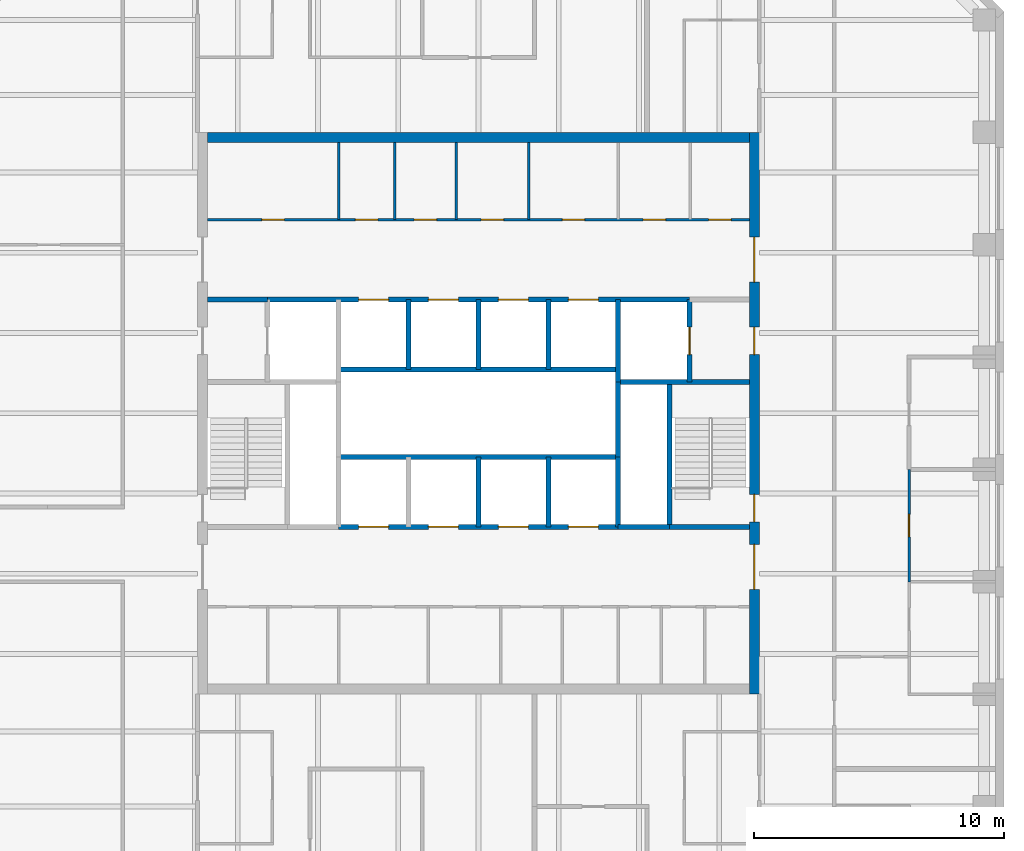
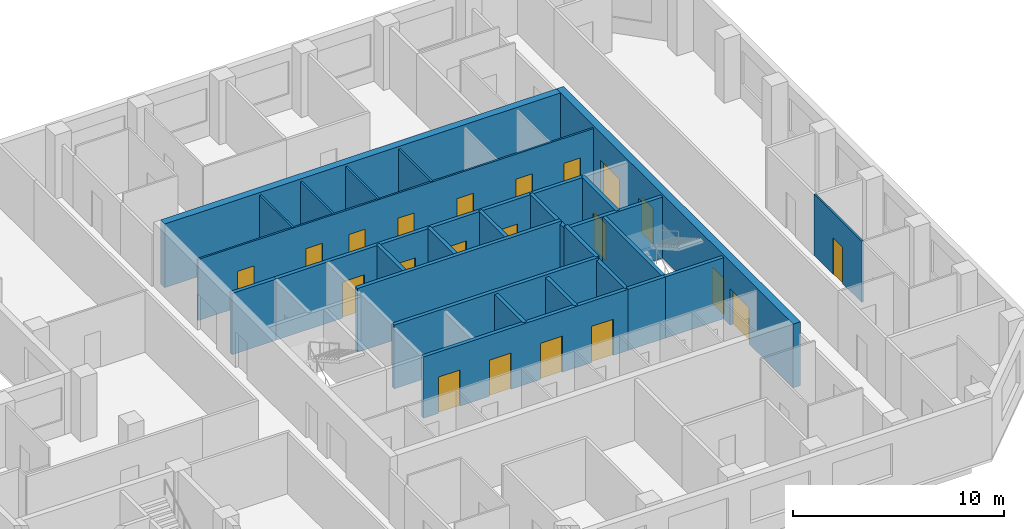
# One storey, part 6 of 9: 26 walls, 21 doors, 21 openings.
"""IFC4 building model written with IfcOpenShell, lengths in metres."""

from ifc_helpers import new_model, si_unit, direction, frame, frame_2d, origin, place, context, subcontext, project, spatial, rectangle, extrude, material, layer, layer_set, type_object, element, fill, save


model = new_model("IFC4")

# Units and contexts
model_context = context("Model", 3, precision=1e-05, world=origin(), true_north=direction((0.0, 1.0)))
body_context = subcontext(model_context, "Body", "Model", "MODEL_VIEW")
ifc_project = project(units=[si_unit("LENGTHUNIT", "METRE"), si_unit("AREAUNIT", "SQUARE_METRE"), si_unit("VOLUMEUNIT", "CUBIC_METRE"), si_unit("PLANEANGLEUNIT", "RADIAN"), si_unit("MASSUNIT", "GRAM", prefix="KILO")], contexts=[model_context])

# Site, building, storey
site_placement = place(None, origin())
site = spatial("IfcSite", under=ifc_project, at=site_placement, CompositionType="ELEMENT")
building_placement = place(site_placement, origin())
building = spatial("IfcBuilding", under=site, at=building_placement, Name="Quoin Convention Tower", CompositionType="ELEMENT")
storey_placement = place(building_placement, frame((0.0, 0.0, 162.5)))
storey = spatial("IfcBuildingStorey", under=building, at=storey_placement, Name="L42", CompositionType="ELEMENT", Elevation=162.5)

# Wall, openings, doors
ifc_material_1 = material(Name="Plasterboard")
ifc_layer_1 = layer(ifc_material_1, 0.012451171875, Name="Finish")
ifc_material_2 = material(Name="Steel stud framing", Category="steel")
ifc_layer_2 = layer(ifc_material_2, 0.074951171875, Name="Structure")
ifc_layer_3 = layer(ifc_material_1, 0.012451171875, Name="Finish")
ifc_layer_set_1 = layer_set([ifc_layer_1, ifc_layer_2, ifc_layer_3], Name="Steel stud framing")
wall_type_1 = type_object("IfcWallType", Name="Core partition wall", PredefinedType="PARTITIONING", material=ifc_layer_set_1)
wall_1_placement = place(storey_placement, frame((45.39990234375, 68.5, 0.0), z_axis=(0.0, 0.0, 1.0), x_axis=(1.0, 0.0, 0.0)))
wall_1 = element("IfcWall", 1, at=wall_1_placement, inside=storey, type_object=wall_type_1, Name="cr-C1-L42-h19000_400", PredefinedType="PARTITIONING", context=body_context, shape_type="SweptSolid", body=[
    extrude(rectangle(XDim=21.7001953125, YDim=0.10009765625, at=frame_2d((10.85009765625, 0.0))), origin(), (0.0, 0.0, 1.0), 3.550048828125),
])
opening_1_placement = place(wall_1_placement, frame((20.06884765625, 0.0, 0.0)))
opening_1 = element("IfcOpeningElement", 2, at=opening_1_placement, cuts=wall_1, Name="Opening DCV2-13", PredefinedType="OPENING", context=body_context, shape_type="SweptSolid", body=[
    extrude(rectangle(XDim=0.89990234375, YDim=2.10009765625, at=frame_2d((0.449951171875, 1.050048828125))), frame((0.0, 0.06005859375, 0.0), z_axis=(0.0, -1.0, 0.0), x_axis=(1.0, 0.0, 0.0)), (0.0, 0.0, 1.0), 0.1201171875),
])
opening_2_placement = place(wall_1_placement, frame((17.44384765625, 0.0, 0.0)))
opening_2 = element("IfcOpeningElement", 3, at=opening_2_placement, cuts=wall_1, Name="Opening DCV2-12", PredefinedType="OPENING", context=body_context, shape_type="SweptSolid", body=[
    extrude(rectangle(XDim=0.89990234375, YDim=2.10009765625, at=frame_2d((0.449951171875, 1.050048828125))), frame((0.0, 0.06005859375, 0.0), z_axis=(0.0, -1.0, 0.0), x_axis=(1.0, 0.0, 0.0)), (0.0, 0.0, 1.0), 0.1201171875),
])
opening_3_placement = place(wall_1_placement, frame((2.175048828125, 0.0, 0.0)))
opening_3 = element("IfcOpeningElement", 4, at=opening_3_placement, cuts=wall_1, Name="Opening DCV2-05", PredefinedType="OPENING", context=body_context, shape_type="SweptSolid", body=[
    extrude(rectangle(XDim=0.89990234375, YDim=2.10009765625, at=frame_2d((0.449951171875, 1.050048828125))), frame((0.0, 0.06005859375, 0.0), z_axis=(0.0, -1.0, 0.0), x_axis=(1.0, 0.0, 0.0)), (0.0, 0.0, 1.0), 0.1201171875),
])
opening_4_placement = place(wall_1_placement, frame((14.2080078125, 0.0, 0.0)))
opening_4 = element("IfcOpeningElement", 5, at=opening_4_placement, cuts=wall_1, Name="Opening DCV2-11", PredefinedType="OPENING", context=body_context, shape_type="SweptSolid", body=[
    extrude(rectangle(XDim=0.89990234375, YDim=2.10009765625, at=frame_2d((0.449951171875, 1.050048828125))), frame((0.0, 0.06005859375, 0.0), z_axis=(0.0, -1.0, 0.0), x_axis=(1.0, 0.0, 0.0)), (0.0, 0.0, 1.0), 0.1201171875),
])
opening_5_placement = place(wall_1_placement, frame((10.9599609375, 0.0, 0.0)))
opening_5 = element("IfcOpeningElement", 6, at=opening_5_placement, cuts=wall_1, Name="Opening DCV2-09", PredefinedType="OPENING", context=body_context, shape_type="SweptSolid", body=[
    extrude(rectangle(XDim=0.89990234375, YDim=2.10009765625, at=frame_2d((0.449951171875, 1.050048828125))), frame((0.0, 0.06005859375, 0.0), z_axis=(0.0, -1.0, 0.0), x_axis=(1.0, 0.0, 0.0)), (0.0, 0.0, 1.0), 0.1201171875),
])
opening_6_placement = place(wall_1_placement, frame((8.27197265625, 0.0, 0.0)))
opening_6 = element("IfcOpeningElement", 7, at=opening_6_placement, cuts=wall_1, Name="Opening DCV2-08", PredefinedType="OPENING", context=body_context, shape_type="SweptSolid", body=[
    extrude(rectangle(XDim=0.89990234375, YDim=2.10009765625, at=frame_2d((0.449951171875, 1.050048828125))), frame((0.0, 0.06005859375, 0.0), z_axis=(0.0, -1.0, 0.0), x_axis=(1.0, 0.0, 0.0)), (0.0, 0.0, 1.0), 0.1201171875),
])
opening_7_placement = place(wall_1_placement, frame((5.919921875, 0.0, 0.0)))
opening_7 = element("IfcOpeningElement", 8, at=opening_7_placement, cuts=wall_1, Name="Opening DCV2-06", PredefinedType="OPENING", context=body_context, shape_type="SweptSolid", body=[
    extrude(rectangle(XDim=0.89990234375, YDim=2.10009765625, at=frame_2d((0.449951171875, 1.050048828125))), frame((0.0, 0.06005859375, 0.0), z_axis=(0.0, -1.0, 0.0), x_axis=(1.0, 0.0, 0.0)), (0.0, 0.0, 1.0), 0.1201171875),
])
ifc_material_3 = material(Name="Steel door leaf", Category="steel")
door_type_1 = type_object("IfcDoorType", Name="Core room door 900 x 2100", OperationType="SINGLE_SWING_LEFT", PredefinedType="DOOR", material=ifc_material_3)
door_1_placement = place(opening_1_placement, origin())
door_1 = element("IfcDoor", 9, at=door_1_placement, inside=storey, type_object=door_type_1, Name="cd-C1-L42-CNE0-lobB-CD4207", OperationType="SINGLE_SWING_RIGHT", OverallHeight=2.10009765625, OverallWidth=0.89990234375, PredefinedType="DOOR", context=body_context, shape_type="SweptSolid", body=[
    extrude(rectangle(XDim=0.89990234375, YDim=2.10009765625, at=frame_2d((0.449951171875, 1.050048828125))), frame((0.0, 0.02490234375, 0.0), z_axis=(0.0, -1.0, 0.0), x_axis=(1.0, 0.0, 0.0)), (0.0, 0.0, 1.0), 0.050048828125),
])
fill(opening_1, door_1)
door_2_placement = place(opening_2_placement, origin())
door_2 = element("IfcDoor", 10, at=door_2_placement, inside=storey, type_object=door_type_1, Name="cd-C1-L42-CNE1-lobB-CD4208", OperationType="SINGLE_SWING_RIGHT", OverallHeight=2.10009765625, OverallWidth=0.89990234375, PredefinedType="DOOR", context=body_context, shape_type="SweptSolid", body=[
    extrude(rectangle(XDim=0.89990234375, YDim=2.10009765625, at=frame_2d((0.449951171875, 1.050048828125))), frame((0.0, 0.02490234375, 0.0), z_axis=(0.0, -1.0, 0.0), x_axis=(1.0, 0.0, 0.0)), (0.0, 0.0, 1.0), 0.050048828125),
])
fill(opening_2, door_2)
door_3_placement = place(opening_3_placement, origin())
door_3 = element("IfcDoor", 11, at=door_3_placement, inside=storey, type_object=door_type_1, Name="cd-C1-L42-CNW0-lobB-CD4209", OperationType="SINGLE_SWING_RIGHT", OverallHeight=2.10009765625, OverallWidth=0.89990234375, PredefinedType="DOOR", context=body_context, shape_type="SweptSolid", body=[
    extrude(rectangle(XDim=0.89990234375, YDim=2.10009765625, at=frame_2d((0.449951171875, 1.050048828125))), frame((0.0, 0.02490234375, 0.0), z_axis=(0.0, -1.0, 0.0), x_axis=(1.0, 0.0, 0.0)), (0.0, 0.0, 1.0), 0.050048828125),
])
fill(opening_3, door_3)
door_4_placement = place(opening_4_placement, origin())
door_4 = element("IfcDoor", 12, at=door_4_placement, inside=storey, type_object=door_type_1, Name="cd-C1-L42-F40-lobB-CD4219", OperationType="SINGLE_SWING_RIGHT", OverallHeight=2.10009765625, OverallWidth=0.89990234375, PredefinedType="DOOR", context=body_context, shape_type="SweptSolid", body=[
    extrude(rectangle(XDim=0.89990234375, YDim=2.10009765625, at=frame_2d((0.449951171875, 1.050048828125))), frame((0.0, 0.02490234375, 0.0), z_axis=(0.0, -1.0, 0.0), x_axis=(1.0, 0.0, 0.0)), (0.0, 0.0, 1.0), 0.050048828125),
])
fill(opening_4, door_4)
door_5_placement = place(opening_5_placement, origin())
door_5 = element("IfcDoor", 13, at=door_5_placement, inside=storey, type_object=door_type_1, Name="cd-C1-L42-F41-lobB-CD4220", OperationType="SINGLE_SWING_RIGHT", OverallHeight=2.10009765625, OverallWidth=0.89990234375, PredefinedType="DOOR", context=body_context, shape_type="SweptSolid", body=[
    extrude(rectangle(XDim=0.89990234375, YDim=2.10009765625, at=frame_2d((0.449951171875, 1.050048828125))), frame((0.0, 0.02490234375, 0.0), z_axis=(0.0, -1.0, 0.0), x_axis=(1.0, 0.0, 0.0)), (0.0, 0.0, 1.0), 0.050048828125),
])
fill(opening_5, door_5)
door_6_placement = place(opening_6_placement, origin())
door_6 = element("IfcDoor", 14, at=door_6_placement, inside=storey, type_object=door_type_1, Name="cd-C1-L42-F42-lobB-CD4221", OperationType="SINGLE_SWING_RIGHT", OverallHeight=2.10009765625, OverallWidth=0.89990234375, PredefinedType="DOOR", context=body_context, shape_type="SweptSolid", body=[
    extrude(rectangle(XDim=0.89990234375, YDim=2.10009765625, at=frame_2d((0.449951171875, 1.050048828125))), frame((0.0, 0.02490234375, 0.0), z_axis=(0.0, -1.0, 0.0), x_axis=(1.0, 0.0, 0.0)), (0.0, 0.0, 1.0), 0.050048828125),
])
fill(opening_6, door_6)
door_7_placement = place(opening_7_placement, origin())
door_7 = element("IfcDoor", 15, at=door_7_placement, inside=storey, type_object=door_type_1, Name="cd-C1-L42-F43-lobB-CD4222", OperationType="SINGLE_SWING_RIGHT", OverallHeight=2.10009765625, OverallWidth=0.89990234375, PredefinedType="DOOR", context=body_context, shape_type="SweptSolid", body=[
    extrude(rectangle(XDim=0.89990234375, YDim=2.10009765625, at=frame_2d((0.449951171875, 1.050048828125))), frame((0.0, 0.02490234375, 0.0), z_axis=(0.0, -1.0, 0.0), x_axis=(1.0, 0.0, 0.0)), (0.0, 0.0, 1.0), 0.050048828125),
])
fill(opening_7, door_7)

# Walls
for number, where, z_axis, x_axis, name in (
    (16, (50.64990234375, 68.5, 0.0), (0.0, 0.0, 1.0), (0.0, 1.0, 0.0), "cr-C1-L42-v5650_19000"),
    (17, (52.889892578125, 68.5, 0.0), (0.0, 0.0, 1.0), (0.0, 1.0, 0.0), "cr-C1-L42-v7890_19000"),
    (18, (55.35400390625, 68.5, 0.0), (0.0, 0.0, 1.0), (0.0, 1.0, 0.0), "cr-C1-L42-v10354_19000"),
    (19, (58.26611328125, 68.5, 0.0), (0.0, 0.0, 1.0), (0.0, 1.0, 0.0), "cr-C1-L42-v13266_19000"),
):
    element("IfcWall", number, at=place(storey_placement, frame(where, z_axis=z_axis, x_axis=x_axis)), inside=storey, type_object=wall_type_1, Name=name, PredefinedType="PARTITIONING", context=body_context, shape_type="SweptSolid", body=[
        extrude(rectangle(XDim=3.10009765625, YDim=0.10009765625, at=frame_2d((1.550048828125, 0.0))), origin(), (0.0, 0.0, 1.0), 3.550048828125),
    ])
ifc_material_4 = material(Name="Concrete C50", Category="concrete")
ifc_layer_4 = layer(ifc_material_4, 0.199951171875)
ifc_layer_set_2 = layer_set([ifc_layer_4], Name="Concrete C50")
wall_type_2 = type_object("IfcWallType", Name="Core shaft wall", PredefinedType="SOLIDWALL", material=ifc_layer_set_2)
wall_2_placement = place(storey_placement, frame((61.85009765625, 56.199951171875, 0.0), z_axis=(0.0, 0.0, 1.0), x_axis=(1.0, 0.0, 0.0)))
element("IfcWall", 20, at=wall_2_placement, inside=storey, type_object=wall_type_2, Name="cr-C1-L42-h6700_16850", PredefinedType="SOLIDWALL", context=body_context, shape_type="SweptSolid", body=[
    extrude(rectangle(XDim=2.0498046875, YDim=0.199951171875, at=frame_2d((1.02490234375, 0.0))), origin(), (0.0, 0.0, 1.0), 3.550048828125),
])

# Wall, openings, doors
wall_3_placement = place(storey_placement, frame((50.64990234375, 56.199951171875, 0.0), z_axis=(0.0, 0.0, 1.0), x_axis=(1.0, 0.0, 0.0)))
wall_3 = element("IfcWall", 21, at=wall_3_placement, inside=storey, type_object=wall_type_2, Name="cr-C1-L42-h6700_5650", PredefinedType="SOLIDWALL", context=body_context, shape_type="SweptSolid", body=[
    extrude(rectangle(XDim=11.2001953125, YDim=0.199951171875, at=frame_2d((5.60009765625, 0.0))), origin(), (0.0, 0.0, 1.0), 3.550048828125),
])
opening_8_placement = place(wall_3_placement, frame((0.800048828125, 0.0, 0.0)))
opening_8 = element("IfcOpeningElement", 22, at=opening_8_placement, cuts=wall_3, Name="Opening LDH1", PredefinedType="OPENING", context=body_context, shape_type="SweptSolid", body=[
    extrude(rectangle(XDim=1.199951171875, YDim=2.10009765625, at=frame_2d((0.60009765625, 1.050048828125))), frame((0.0, 0.10986328125, 0.0), z_axis=(0.0, -1.0, 0.0), x_axis=(1.0, 0.0, 0.0)), (0.0, 0.0, 1.0), 0.219970703125),
])
opening_9_placement = place(wall_3_placement, frame((3.60009765625, 0.0, 0.0)))
opening_9 = element("IfcOpeningElement", 23, at=opening_9_placement, cuts=wall_3, Name="Opening LDH2", PredefinedType="OPENING", context=body_context, shape_type="SweptSolid", body=[
    extrude(rectangle(XDim=1.199951171875, YDim=2.10009765625, at=frame_2d((0.60009765625, 1.050048828125))), frame((0.0, 0.10986328125, 0.0), z_axis=(0.0, -1.0, 0.0), x_axis=(1.0, 0.0, 0.0)), (0.0, 0.0, 1.0), 0.219970703125),
])
opening_10_placement = place(wall_3_placement, frame((6.39990234375, 0.0, 0.0)))
opening_10 = element("IfcOpeningElement", 24, at=opening_10_placement, cuts=wall_3, Name="Opening LDH3", PredefinedType="OPENING", context=body_context, shape_type="SweptSolid", body=[
    extrude(rectangle(XDim=1.199951171875, YDim=2.10009765625, at=frame_2d((0.60009765625, 1.050048828125))), frame((0.0, 0.10986328125, 0.0), z_axis=(0.0, -1.0, 0.0), x_axis=(1.0, 0.0, 0.0)), (0.0, 0.0, 1.0), 0.219970703125),
])
opening_11_placement = place(wall_3_placement, frame((9.199951171875, 0.0, 0.0)))
opening_11 = element("IfcOpeningElement", 25, at=opening_11_placement, cuts=wall_3, Name="Opening LDH4", PredefinedType="OPENING", context=body_context, shape_type="SweptSolid", body=[
    extrude(rectangle(XDim=1.199951171875, YDim=2.10009765625, at=frame_2d((0.60009765625, 1.050048828125))), frame((0.0, 0.10986328125, 0.0), z_axis=(0.0, -1.0, 0.0), x_axis=(1.0, 0.0, 0.0)), (0.0, 0.0, 1.0), 0.219970703125),
])
door_type_2 = type_object("IfcDoorType", Name="Lift landing door 1200 x 2100", OperationType="DOUBLE_DOOR_SLIDING", PredefinedType="DOOR", material=ifc_material_3)
door_8_placement = place(opening_8_placement, origin())
door_8 = element("IfcDoor", 26, at=door_8_placement, inside=storey, type_object=door_type_2, Name="cd-C1-L42-R20-lobA-LDH1", OperationType="DOUBLE_DOOR_SLIDING", OverallHeight=2.10009765625, OverallWidth=1.199951171875, PredefinedType="DOOR", context=body_context, shape_type="SweptSolid", body=[
    extrude(rectangle(XDim=1.199951171875, YDim=2.10009765625, at=frame_2d((0.60009765625, 1.050048828125))), frame((0.0, 0.02490234375, 0.0), z_axis=(0.0, -1.0, 0.0), x_axis=(1.0, 0.0, 0.0)), (0.0, 0.0, 1.0), 0.050048828125),
])
fill(opening_8, door_8)
door_9_placement = place(opening_9_placement, origin())
door_9 = element("IfcDoor", 27, at=door_9_placement, inside=storey, type_object=door_type_2, Name="cd-C1-L42-R21-lobA-LDH2", OperationType="DOUBLE_DOOR_SLIDING", OverallHeight=2.10009765625, OverallWidth=1.199951171875, PredefinedType="DOOR", context=body_context, shape_type="SweptSolid", body=[
    extrude(rectangle(XDim=1.199951171875, YDim=2.10009765625, at=frame_2d((0.60009765625, 1.050048828125))), frame((0.0, 0.02490234375, 0.0), z_axis=(0.0, -1.0, 0.0), x_axis=(1.0, 0.0, 0.0)), (0.0, 0.0, 1.0), 0.050048828125),
])
fill(opening_9, door_9)
door_10_placement = place(opening_10_placement, origin())
door_10 = element("IfcDoor", 28, at=door_10_placement, inside=storey, type_object=door_type_2, Name="cd-C1-L42-R22-lobA-LDH3", OperationType="DOUBLE_DOOR_SLIDING", OverallHeight=2.10009765625, OverallWidth=1.199951171875, PredefinedType="DOOR", context=body_context, shape_type="SweptSolid", body=[
    extrude(rectangle(XDim=1.199951171875, YDim=2.10009765625, at=frame_2d((0.60009765625, 1.050048828125))), frame((0.0, 0.02490234375, 0.0), z_axis=(0.0, -1.0, 0.0), x_axis=(1.0, 0.0, 0.0)), (0.0, 0.0, 1.0), 0.050048828125),
])
fill(opening_10, door_10)
door_11_placement = place(opening_11_placement, origin())
door_11 = element("IfcDoor", 29, at=door_11_placement, inside=storey, type_object=door_type_2, Name="cd-C1-L42-R23-lobA-LDH4", OperationType="DOUBLE_DOOR_SLIDING", OverallHeight=2.10009765625, OverallWidth=1.199951171875, PredefinedType="DOOR", context=body_context, shape_type="SweptSolid", body=[
    extrude(rectangle(XDim=1.199951171875, YDim=2.10009765625, at=frame_2d((0.60009765625, 1.050048828125))), frame((0.0, 0.02490234375, 0.0), z_axis=(0.0, -1.0, 0.0), x_axis=(1.0, 0.0, 0.0)), (0.0, 0.0, 1.0), 0.050048828125),
])
fill(opening_11, door_11)

# Walls
wall_4_placement = place(storey_placement, frame((63.89990234375, 56.199951171875, 0.0), z_axis=(0.0, 0.0, 1.0), x_axis=(1.0, 0.0, 0.0)))
element("IfcWall", 30, at=wall_4_placement, inside=storey, type_object=wall_type_2, Name="cr-C1-L42-h6700_18900", PredefinedType="SOLIDWALL", context=body_context, shape_type="SweptSolid", body=[
    extrude(rectangle(XDim=3.2001953125, YDim=0.199951171875, at=frame_2d((1.60009765625, 0.0))), origin(), (0.0, 0.0, 1.0), 3.550048828125),
])
wall_5_placement = place(storey_placement, frame((61.85009765625, 62.0, 0.0), z_axis=(0.0, 0.0, 1.0), x_axis=(1.0, 0.0, 0.0)))
element("IfcWall", 31, at=wall_5_placement, inside=storey, type_object=wall_type_2, Name="cr-C1-L42-h12500_16850", PredefinedType="SOLIDWALL", context=body_context, shape_type="SweptSolid", body=[
    extrude(rectangle(XDim=5.25, YDim=0.199951171875, at=frame_2d((2.625, 0.0))), origin(), (0.0, 0.0, 1.0), 3.550048828125),
])
wall_6_placement = place(storey_placement, frame((45.39990234375, 65.300048828125, 0.0), z_axis=(0.0, 0.0, 1.0), x_axis=(1.0, 0.0, 0.0)))
element("IfcWall", 32, at=wall_6_placement, inside=storey, type_object=wall_type_2, Name="cr-C1-L42-h15800_400", PredefinedType="SOLIDWALL", context=body_context, shape_type="SweptSolid", body=[
    extrude(rectangle(XDim=2.400146484375, YDim=0.199951171875, at=frame_2d((1.2001953125, 0.0))), origin(), (0.0, 0.0, 1.0), 3.550048828125),
])

# Wall, openings, doors
wall_7_placement = place(storey_placement, frame((47.800048828125, 65.300048828125, 0.0), z_axis=(0.0, 0.0, 1.0), x_axis=(1.0, 0.0, 0.0)))
wall_7 = element("IfcWall", 33, at=wall_7_placement, inside=storey, type_object=wall_type_2, Name="cr-C1-L42-h15800_2800", PredefinedType="SOLIDWALL", context=body_context, shape_type="SweptSolid", body=[
    extrude(rectangle(XDim=16.89990234375, YDim=0.199951171875, at=frame_2d((8.449951171875, 0.0))), origin(), (0.0, 0.0, 1.0), 3.550048828125),
])
opening_12_placement = place(wall_7_placement, frame((3.64990234375, 0.0, 0.0)))
opening_12 = element("IfcOpeningElement", 34, at=opening_12_placement, cuts=wall_7, Name="Opening LDH5", PredefinedType="OPENING", context=body_context, shape_type="SweptSolid", body=[
    extrude(rectangle(XDim=1.199951171875, YDim=2.10009765625, at=frame_2d((0.60009765625, 1.050048828125))), frame((0.0, 0.10986328125, 0.0), z_axis=(0.0, -1.0, 0.0), x_axis=(1.0, 0.0, 0.0)), (0.0, 0.0, 1.0), 0.219970703125),
])
opening_13_placement = place(wall_7_placement, frame((6.449951171875, 0.0, 0.0)))
opening_13 = element("IfcOpeningElement", 35, at=opening_13_placement, cuts=wall_7, Name="Opening LDH6", PredefinedType="OPENING", context=body_context, shape_type="SweptSolid", body=[
    extrude(rectangle(XDim=1.199951171875, YDim=2.10009765625, at=frame_2d((0.60009765625, 1.050048828125))), frame((0.0, 0.10986328125, 0.0), z_axis=(0.0, -1.0, 0.0), x_axis=(1.0, 0.0, 0.0)), (0.0, 0.0, 1.0), 0.219970703125),
])
opening_14_placement = place(wall_7_placement, frame((9.25, 0.0, 0.0)))
opening_14 = element("IfcOpeningElement", 36, at=opening_14_placement, cuts=wall_7, Name="Opening LDH7", PredefinedType="OPENING", context=body_context, shape_type="SweptSolid", body=[
    extrude(rectangle(XDim=1.199951171875, YDim=2.10009765625, at=frame_2d((0.60009765625, 1.050048828125))), frame((0.0, 0.10986328125, 0.0), z_axis=(0.0, -1.0, 0.0), x_axis=(1.0, 0.0, 0.0)), (0.0, 0.0, 1.0), 0.219970703125),
])
opening_15_placement = place(wall_7_placement, frame((12.050048828125, 0.0, 0.0)))
opening_15 = element("IfcOpeningElement", 37, at=opening_15_placement, cuts=wall_7, Name="Opening LDH8", PredefinedType="OPENING", context=body_context, shape_type="SweptSolid", body=[
    extrude(rectangle(XDim=1.199951171875, YDim=2.10009765625, at=frame_2d((0.60009765625, 1.050048828125))), frame((0.0, 0.10986328125, 0.0), z_axis=(0.0, -1.0, 0.0), x_axis=(1.0, 0.0, 0.0)), (0.0, 0.0, 1.0), 0.219970703125),
])
door_12_placement = place(opening_12_placement, origin())
door_12 = element("IfcDoor", 38, at=door_12_placement, inside=storey, type_object=door_type_2, Name="cd-C1-L42-R30-lobB-LDH5", OperationType="DOUBLE_DOOR_SLIDING", OverallHeight=2.10009765625, OverallWidth=1.199951171875, PredefinedType="DOOR", context=body_context, shape_type="SweptSolid", body=[
    extrude(rectangle(XDim=1.199951171875, YDim=2.10009765625, at=frame_2d((0.60009765625, 1.050048828125))), frame((0.0, 0.02490234375, 0.0), z_axis=(0.0, -1.0, 0.0), x_axis=(1.0, 0.0, 0.0)), (0.0, 0.0, 1.0), 0.050048828125),
])
fill(opening_12, door_12)
door_13_placement = place(opening_13_placement, origin())
door_13 = element("IfcDoor", 39, at=door_13_placement, inside=storey, type_object=door_type_2, Name="cd-C1-L42-R31-lobB-LDH6", OperationType="DOUBLE_DOOR_SLIDING", OverallHeight=2.10009765625, OverallWidth=1.199951171875, PredefinedType="DOOR", context=body_context, shape_type="SweptSolid", body=[
    extrude(rectangle(XDim=1.199951171875, YDim=2.10009765625, at=frame_2d((0.60009765625, 1.050048828125))), frame((0.0, 0.02490234375, 0.0), z_axis=(0.0, -1.0, 0.0), x_axis=(1.0, 0.0, 0.0)), (0.0, 0.0, 1.0), 0.050048828125),
])
fill(opening_13, door_13)
door_14_placement = place(opening_14_placement, origin())
door_14 = element("IfcDoor", 40, at=door_14_placement, inside=storey, type_object=door_type_2, Name="cd-C1-L42-R32-lobB-LDH7", OperationType="DOUBLE_DOOR_SLIDING", OverallHeight=2.10009765625, OverallWidth=1.199951171875, PredefinedType="DOOR", context=body_context, shape_type="SweptSolid", body=[
    extrude(rectangle(XDim=1.199951171875, YDim=2.10009765625, at=frame_2d((0.60009765625, 1.050048828125))), frame((0.0, 0.02490234375, 0.0), z_axis=(0.0, -1.0, 0.0), x_axis=(1.0, 0.0, 0.0)), (0.0, 0.0, 1.0), 0.050048828125),
])
fill(opening_14, door_14)
door_15_placement = place(opening_15_placement, origin())
door_15 = element("IfcDoor", 41, at=door_15_placement, inside=storey, type_object=door_type_2, Name="cd-C1-L42-R33-lobB-LDH8", OperationType="DOUBLE_DOOR_SLIDING", OverallHeight=2.10009765625, OverallWidth=1.199951171875, PredefinedType="DOOR", context=body_context, shape_type="SweptSolid", body=[
    extrude(rectangle(XDim=1.199951171875, YDim=2.10009765625, at=frame_2d((0.60009765625, 1.050048828125))), frame((0.0, 0.02490234375, 0.0), z_axis=(0.0, -1.0, 0.0), x_axis=(1.0, 0.0, 0.0)), (0.0, 0.0, 1.0), 0.050048828125),
])
fill(opening_15, door_15)

# Walls
for number, where, z_axis, x_axis, name in (
    (42, (53.449951171875, 62.5, 0.0), (0.0, 0.0, 1.0), (0.0, 1.0, 0.0), "cr-C1-L42-v8450_13000"),
    (43, (56.25, 56.199951171875, 0.0), (0.0, 0.0, 1.0), (0.0, 1.0, 0.0), "cr-C1-L42-v11250_6700"),
    (44, (56.25, 62.5, 0.0), (0.0, 0.0, 1.0), (0.0, 1.0, 0.0), "cr-C1-L42-v11250_13000"),
    (45, (59.050048828125, 56.199951171875, 0.0), (0.0, 0.0, 1.0), (0.0, 1.0, 0.0), "cr-C1-L42-v14050_6700"),
    (46, (59.050048828125, 62.5, 0.0), (0.0, 0.0, 1.0), (0.0, 1.0, 0.0), "cr-C1-L42-v14050_13000"),
    (47, (61.85009765625, 56.199951171875, 0.0), (0.0, 0.0, 1.0), (0.0, 1.0, 0.0), "cr-C1-L42-v16850_6700"),
):
    element("IfcWall", number, at=place(storey_placement, frame(where, z_axis=z_axis, x_axis=x_axis)), inside=storey, type_object=wall_type_2, Name=name, PredefinedType="SOLIDWALL", context=body_context, shape_type="SweptSolid", body=[
        extrude(rectangle(XDim=2.800048828125, YDim=0.199951171875, at=frame_2d((1.39990234375, 0.0))), origin(), (0.0, 0.0, 1.0), 3.550048828125),
    ])
wall_8_placement = place(storey_placement, frame((61.85009765625, 62.0, 0.0), z_axis=(0.0, 0.0, 1.0), x_axis=(0.0, 1.0, 0.0)))
element("IfcWall", 48, at=wall_8_placement, inside=storey, type_object=wall_type_2, Name="cr-C1-L42-v16850_12500", PredefinedType="SOLIDWALL", context=body_context, shape_type="SweptSolid", body=[
    extrude(rectangle(XDim=3.300048828125, YDim=0.199951171875, at=frame_2d((1.64990234375, 0.0))), origin(), (0.0, 0.0, 1.0), 3.550048828125),
])
wall_9_placement = place(storey_placement, frame((63.89990234375, 56.199951171875, 0.0), z_axis=(0.0, 0.0, 1.0), x_axis=(0.0, 1.0, 0.0)))
element("IfcWall", 49, at=wall_9_placement, inside=storey, type_object=wall_type_2, Name="cr-C1-L42-v18900_6700", PredefinedType="SOLIDWALL", context=body_context, shape_type="SweptSolid", body=[
    extrude(rectangle(XDim=5.800048828125, YDim=0.199951171875, at=frame_2d((2.89990234375, 0.0))), origin(), (0.0, 0.0, 1.0), 3.550048828125),
])

# Wall, opening, door
wall_10_placement = place(storey_placement, frame((64.699951171875, 62.0, 0.0), z_axis=(0.0, 0.0, 1.0), x_axis=(0.0, 1.0, 0.0)))
wall_10 = element("IfcWall", 50, at=wall_10_placement, inside=storey, type_object=wall_type_2, Name="cr-C1-L42-v19700_12500", PredefinedType="SOLIDWALL", context=body_context, shape_type="SweptSolid", body=[
    extrude(rectangle(XDim=3.300048828125, YDim=0.199951171875, at=frame_2d((1.64990234375, 0.0))), origin(), (0.0, 0.0, 1.0), 3.550048828125),
])
opening_16_placement = place(wall_10_placement, frame((1.10009765625, 0.0, 0.0)))
opening_16 = element("IfcOpeningElement", 51, at=opening_16_placement, cuts=wall_10, Name="Opening LDFL2", PredefinedType="OPENING", context=body_context, shape_type="SweptSolid", body=[
    extrude(rectangle(XDim=1.10009765625, YDim=2.10009765625, at=frame_2d((0.550048828125, 1.050048828125))), frame((0.0, 0.10986328125, 0.0), z_axis=(0.0, -1.0, 0.0), x_axis=(1.0, 0.0, 0.0)), (0.0, 0.0, 1.0), 0.219970703125),
])
door_type_3 = type_object("IfcDoorType", Name="Lift landing door 1100 x 2100", OperationType="DOUBLE_DOOR_SLIDING", PredefinedType="DOOR", material=ifc_material_3)
door_16_placement = place(opening_16_placement, origin())
door_16 = element("IfcDoor", 52, at=door_16_placement, inside=storey, type_object=door_type_3, Name="cd-C1-L42-FLE-FFE-LDFL2", OperationType="DOUBLE_DOOR_SLIDING", OverallHeight=2.10009765625, OverallWidth=1.10009765625, PredefinedType="DOOR", context=body_context, shape_type="SweptSolid", body=[
    extrude(rectangle(XDim=1.10009765625, YDim=2.10009765625, at=frame_2d((0.550048828125, 1.050048828125))), frame((0.0, 0.02490234375, 0.0), z_axis=(0.0, -1.0, 0.0), x_axis=(1.0, 0.0, 0.0)), (0.0, 0.0, 1.0), 0.050048828125),
])
fill(opening_16, door_16)

# Walls
ifc_layer_5 = layer(ifc_material_4, 0.199951171875)
ifc_layer_set_3 = layer_set([ifc_layer_5], Name="Concrete C50")
wall_type_3 = type_object("IfcWallType", Name="Core shaft wall to the floor level over", PredefinedType="SOLIDWALL", material=ifc_layer_set_3)
for number, where, z_axis, x_axis, name in (
    (53, (50.64990234375, 59.0, 0.0), (0.0, 0.0, 1.0), (1.0, 0.0, 0.0), "cr-C1-L42-h9500_5650"),
    (54, (50.64990234375, 62.5, 0.0), (0.0, 0.0, 1.0), (1.0, 0.0, 0.0), "cr-C1-L42-h13000_5650"),
):
    element("IfcWall", number, at=place(storey_placement, frame(where, z_axis=z_axis, x_axis=x_axis)), inside=storey, type_object=wall_type_3, Name=name, PredefinedType="SOLIDWALL", context=body_context, shape_type="SweptSolid", body=[
        extrude(rectangle(XDim=11.2001953125, YDim=0.199951171875, at=frame_2d((5.60009765625, 0.0))), origin(), (0.0, 0.0, 1.0), 3.699951171875),
    ])
wall_11_placement = place(storey_placement, frame((61.85009765625, 59.0, 0.0), z_axis=(0.0, 0.0, 1.0), x_axis=(0.0, 1.0, 0.0)))
element("IfcWall", 55, at=wall_11_placement, inside=storey, type_object=wall_type_3, Name="cr-C1-L42-v16850_9500", PredefinedType="SOLIDWALL", context=body_context, shape_type="SweptSolid", body=[
    extrude(rectangle(XDim=3.0, YDim=0.199951171875, at=frame_2d((1.5, 0.0))), origin(), (0.0, 0.0, 1.0), 3.699951171875),
])
ifc_layer_6 = layer(ifc_material_4, 0.39990234375)
ifc_layer_set_4 = layer_set([ifc_layer_6], Name="Concrete C50")
wall_type_4 = type_object("IfcWallType", Name="RC CORE WALL 400 C50", PredefinedType="SHEAR", material=ifc_layer_set_4)
wall_12_placement = place(storey_placement, frame((45.39990234375, 71.800048828125, 0.0), z_axis=(0.0, 0.0, 1.0), x_axis=(1.0, 0.0, 0.0)))
element("IfcWall", 56, at=wall_12_placement, inside=storey, type_object=wall_type_4, Name="cwl-C1-L42-N", PredefinedType="SHEAR", context=body_context, shape_type="SweptSolid", body=[
    extrude(rectangle(XDim=21.7001953125, YDim=0.39990234375, at=frame_2d((10.85009765625, 0.0))), origin(), (0.0, 0.0, 1.0), 3.699951171875),
])

# Wall, openings, doors
wall_13_placement = place(storey_placement, frame((67.300048828125, 49.5, 0.0), z_axis=(0.0, 0.0, 1.0), x_axis=(0.0, 1.0, 0.0)))
wall_13 = element("IfcWall", 57, at=wall_13_placement, inside=storey, type_object=wall_type_4, Name="cwl-C1-L42-E", PredefinedType="SHEAR", context=body_context, shape_type="SweptSolid", body=[
    extrude(rectangle(XDim=22.5, YDim=0.39990234375, at=frame_2d((11.25, 0.0))), origin(), (0.0, 0.0, 1.0), 3.699951171875),
])
opening_17_placement = place(wall_13_placement, frame((4.199951171875, 0.0, 0.0)))
opening_17 = element("IfcOpeningElement", 58, at=opening_17_placement, cuts=wall_13, Name="Opening DCV2-38", PredefinedType="OPENING", context=body_context, shape_type="SweptSolid", body=[
    extrude(rectangle(XDim=1.800048828125, YDim=2.10009765625, at=frame_2d((0.89990234375, 1.050048828125))), frame((0.0, 0.2099609375, 0.0), z_axis=(0.0, -1.0, 0.0), x_axis=(1.0, 0.0, 0.0)), (0.0, 0.0, 1.0), 0.419921875),
])
opening_18_placement = place(wall_13_placement, frame((6.89990234375, 0.0, 0.0)))
opening_18 = element("IfcOpeningElement", 59, at=opening_18_placement, cuts=wall_13, Name="Opening SD2", PredefinedType="OPENING", context=body_context, shape_type="SweptSolid", body=[
    extrude(rectangle(XDim=1.10009765625, YDim=2.10009765625, at=frame_2d((0.550048828125, 1.050048828125))), frame((0.0, 0.2099609375, 0.0), z_axis=(0.0, -1.0, 0.0), x_axis=(1.0, 0.0, 0.0)), (0.0, 0.0, 1.0), 0.419921875),
])
opening_19_placement = place(wall_13_placement, frame((13.60009765625, 0.0, 0.0)))
opening_19 = element("IfcOpeningElement", 60, at=opening_19_placement, cuts=wall_13, Name="Opening DCV2-37", PredefinedType="OPENING", context=body_context, shape_type="SweptSolid", body=[
    extrude(rectangle(XDim=1.10009765625, YDim=2.10009765625, at=frame_2d((0.550048828125, 1.050048828125))), frame((0.0, 0.2099609375, 0.0), z_axis=(0.0, -1.0, 0.0), x_axis=(1.0, 0.0, 0.0)), (0.0, 0.0, 1.0), 0.419921875),
])
opening_20_placement = place(wall_13_placement, frame((16.5, 0.0, 0.0)))
opening_20 = element("IfcOpeningElement", 61, at=opening_20_placement, cuts=wall_13, Name="Opening DCV2-38", PredefinedType="OPENING", context=body_context, shape_type="SweptSolid", body=[
    extrude(rectangle(XDim=1.800048828125, YDim=2.10009765625, at=frame_2d((0.89990234375, 1.050048828125))), frame((0.0, 0.2099609375, 0.0), z_axis=(0.0, -1.0, 0.0), x_axis=(1.0, 0.0, 0.0)), (0.0, 0.0, 1.0), 0.419921875),
])
door_type_4 = type_object("IfcDoorType", Name="Fire-fighting lobby door 1100 x 2100", OperationType="SINGLE_SWING_LEFT", PredefinedType="DOOR", material=ifc_material_3)
door_17_placement = place(opening_19_placement, origin())
door_17 = element("IfcDoor", 62, at=door_17_placement, inside=storey, type_object=door_type_4, Name="cd-C1-L42-FFE-E", OperationType="SINGLE_SWING_RIGHT", OverallHeight=2.10009765625, OverallWidth=1.10009765625, PredefinedType="DOOR", context=body_context, shape_type="SweptSolid", body=[
    extrude(rectangle(XDim=1.10009765625, YDim=2.10009765625, at=frame_2d((0.550048828125, 1.050048828125))), frame((0.0, 0.02490234375, 0.0), z_axis=(0.0, -1.0, 0.0), x_axis=(1.0, 0.0, 0.0)), (0.0, 0.0, 1.0), 0.050048828125),
])
fill(opening_19, door_17)
door_type_5 = type_object("IfcDoorType", Name="Lift lobby door 1800 x 2100", OperationType="SINGLE_SWING_LEFT", PredefinedType="DOOR", material=ifc_material_3)
door_18_placement = place(opening_17_placement, origin())
door_18 = element("IfcDoor", 63, at=door_18_placement, inside=storey, type_object=door_type_5, Name="cd-C1-L42-lobA-E", OperationType="SINGLE_SWING_RIGHT", OverallHeight=2.10009765625, OverallWidth=1.800048828125, PredefinedType="DOOR", context=body_context, shape_type="SweptSolid", body=[
    extrude(rectangle(XDim=1.800048828125, YDim=2.10009765625, at=frame_2d((0.89990234375, 1.050048828125))), frame((0.0, 0.02490234375, 0.0), z_axis=(0.0, -1.0, 0.0), x_axis=(1.0, 0.0, 0.0)), (0.0, 0.0, 1.0), 0.050048828125),
])
fill(opening_17, door_18)
door_19_placement = place(opening_20_placement, origin())
door_19 = element("IfcDoor", 64, at=door_19_placement, inside=storey, type_object=door_type_5, Name="cd-C1-L42-lobB-E", OperationType="SINGLE_SWING_RIGHT", OverallHeight=2.10009765625, OverallWidth=1.800048828125, PredefinedType="DOOR", context=body_context, shape_type="SweptSolid", body=[
    extrude(rectangle(XDim=1.800048828125, YDim=2.10009765625, at=frame_2d((0.89990234375, 1.050048828125))), frame((0.0, 0.02490234375, 0.0), z_axis=(0.0, -1.0, 0.0), x_axis=(1.0, 0.0, 0.0)), (0.0, 0.0, 1.0), 0.050048828125),
])
fill(opening_20, door_19)
door_type_6 = type_object("IfcDoorType", Name="Stair door 1100 x 2100", OperationType="SINGLE_SWING_RIGHT", PredefinedType="DOOR", material=ifc_material_3)
door_20_placement = place(opening_18_placement, origin())
door_20 = element("IfcDoor", 65, at=door_20_placement, inside=storey, type_object=door_type_6, Name="cd-C1-L42-STE-E", OperationType="SINGLE_SWING_LEFT", OverallHeight=2.10009765625, OverallWidth=1.10009765625, PredefinedType="DOOR", context=body_context, shape_type="SweptSolid", body=[
    extrude(rectangle(XDim=1.10009765625, YDim=2.10009765625, at=frame_2d((0.550048828125, 1.050048828125))), frame((0.0, 0.02490234375, 0.0), z_axis=(0.0, -1.0, 0.0), x_axis=(1.0, 0.0, 0.0)), (0.0, 0.0, 1.0), 0.050048828125),
])
fill(opening_18, door_20)

# Wall, opening, door
ifc_layer_7 = layer(ifc_material_1, 0.012451171875, Name="Finish")
ifc_layer_8 = layer(ifc_material_2, 0.074951171875, Name="Structure")
ifc_layer_9 = layer(ifc_material_1, 0.012451171875, Name="Finish")
ifc_layer_set_5 = layer_set([ifc_layer_7, ifc_layer_8, ifc_layer_9], Name="Steel stud framing")
wall_type_5 = type_object("IfcWallType", Name="Stud partition 100", PredefinedType="PARTITIONING", material=ifc_layer_set_5)
wall_14_placement = place(storey_placement, frame((73.5, 54.0, 0.0), z_axis=(0.0, 0.0, 1.0), x_axis=(0.0, 1.0, 0.0)))
wall_14 = element("IfcWall", 66, at=wall_14_placement, inside=storey, type_object=wall_type_5, Name="pw-L42-065", PredefinedType="PARTITIONING", context=body_context, shape_type="SweptSolid", body=[
    extrude(rectangle(XDim=4.5, YDim=0.10009765625, at=frame_2d((2.25, 0.0))), origin(), (0.0, 0.0, 1.0), 3.550048828125),
])
opening_21_placement = place(wall_14_placement, frame((1.800048828125, 0.0, 0.0)))
opening_21 = element("IfcOpeningElement", 67, at=opening_21_placement, cuts=wall_14, Name="Opening DOH3-18", PredefinedType="OPENING", context=body_context, shape_type="SweptSolid", body=[
    extrude(rectangle(XDim=0.89990234375, YDim=2.10009765625, at=frame_2d((0.449951171875, 1.050048828125))), frame((0.0, 0.06005859375, 0.0), z_axis=(0.0, -1.0, 0.0), x_axis=(1.0, 0.0, 0.0)), (0.0, 0.0, 1.0), 0.1201171875),
])
door_type_7 = type_object("IfcDoorType", Name="Office door 900 x 2100", OperationType="SINGLE_SWING_RIGHT", PredefinedType="DOOR", material=ifc_material_3)
door_21_placement = place(opening_21_placement, origin())
door_21 = element("IfcDoor", 68, at=door_21_placement, inside=storey, type_object=door_type_7, Name="dr-L42-26", OperationType="SINGLE_SWING_RIGHT", OverallHeight=2.10009765625, OverallWidth=0.89990234375, PredefinedType="DOOR", context=body_context, shape_type="SweptSolid", body=[
    extrude(rectangle(XDim=0.89990234375, YDim=2.10009765625, at=frame_2d((0.449951171875, 1.050048828125))), frame((0.0, 0.02490234375, 0.0), z_axis=(0.0, -1.0, 0.0), x_axis=(1.0, 0.0, 0.0)), (0.0, 0.0, 1.0), 0.050048828125),
])
fill(opening_21, door_21)

save(model, "model.ifc")
